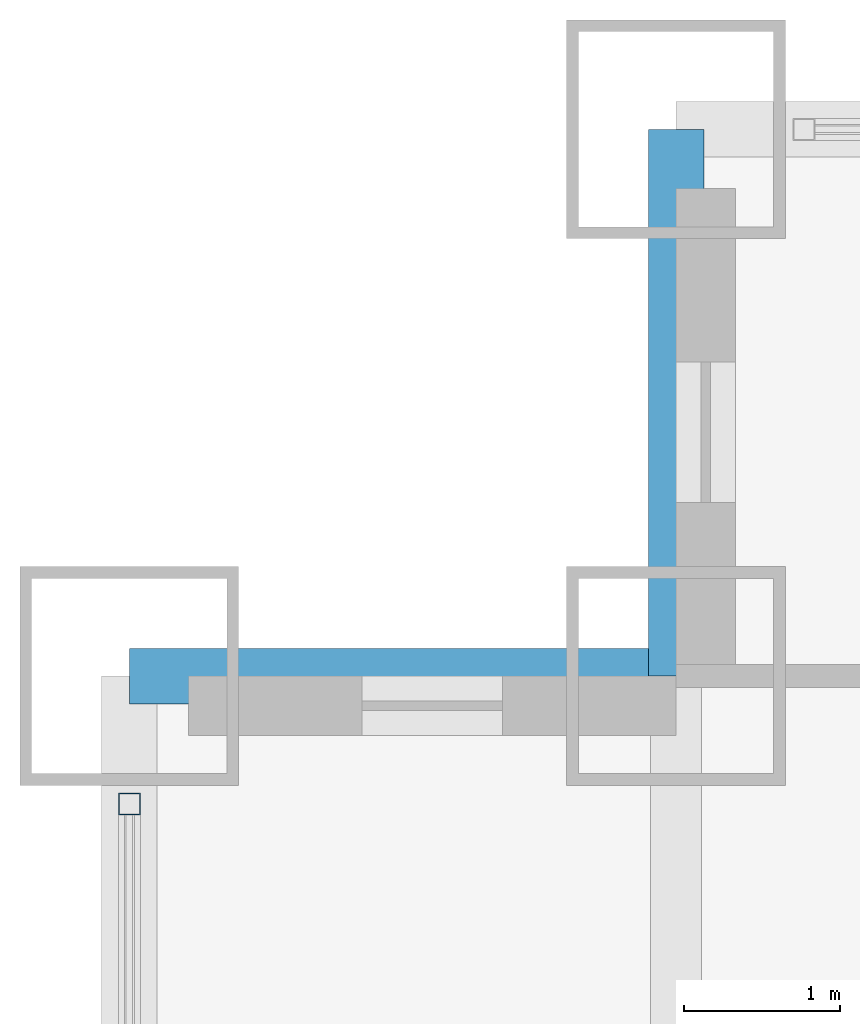
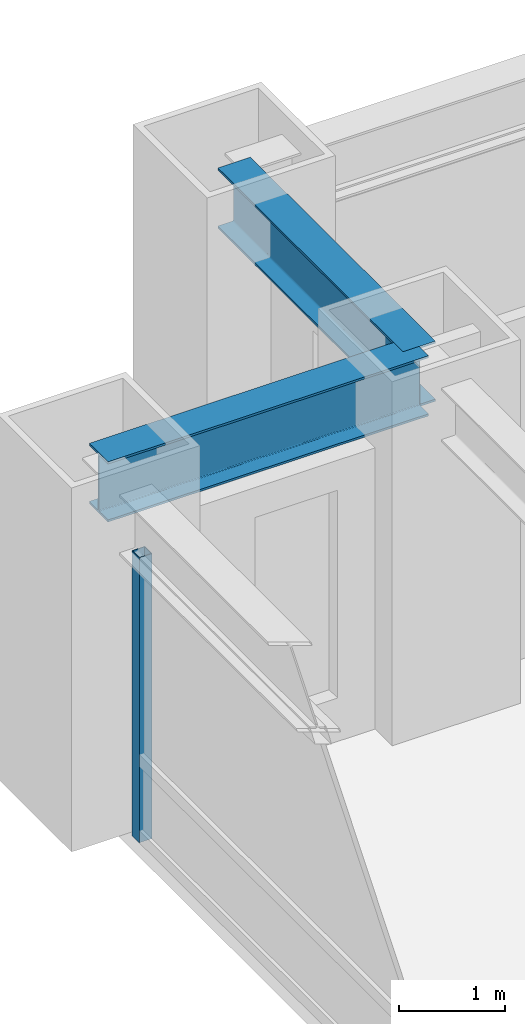
# One storey, part 14 of 27: 2 beams, 1 member, 1 element without a shape of its own.
"""IFC4 building model written with IfcOpenShell, lengths in metres."""

from ifc_helpers import new_model, si_unit, direction, frame, origin, origin_2d, place, context, subcontext, project, spatial, hollow_rectangle, i_section, extrude, source, transform, mapped, material, material_profile, profile_set, type_object, element, aggregate, save


model = new_model("IFC4")

# Units and contexts
model_context = context("Model", 3, precision=1e-05, world=origin(), true_north=direction((0.0, 1.0)))
body_context = subcontext(model_context, "Body", "Model", "MODEL_VIEW")
ifc_project = project(units=[si_unit("LENGTHUNIT", "METRE"), si_unit("AREAUNIT", "SQUARE_METRE"), si_unit("VOLUMEUNIT", "CUBIC_METRE"), si_unit("PLANEANGLEUNIT", "RADIAN"), si_unit("MASSUNIT", "GRAM", prefix="KILO")], contexts=[model_context])

# Site, building, storey
site_placement = place(None, origin())
site = spatial("IfcSite", under=ifc_project, at=site_placement, CompositionType="ELEMENT")
building_placement = place(site_placement, origin())
building = spatial("IfcBuilding", under=site, at=building_placement, Name="Khorayat Bourse Tower", CompositionType="ELEMENT")
storey_placement = place(building_placement, frame((0.0, 0.0, 49.39990234375)))
storey = spatial("IfcBuildingStorey", under=building, at=storey_placement, Name="L10", CompositionType="ELEMENT", Elevation=49.39990234375)

# Beams
ifc_material_1 = material(Name="Steel ASTM A992 Grade 50", Category="steel")
ifc_material_profile_1 = material_profile(ifc_material_1, i_section(OverallWidth=0.35498046875, OverallDepth=0.695068359375, WebThickness=0.015380859375, FlangeThickness=0.02490234375, FilletRadius=0.01806640625, at=origin_2d()), Name="W690X217")
ifc_profile_set_1 = profile_set([ifc_material_profile_1], Name="Steel ASTM A992 Grade 50")
beam_type = type_object("IfcBeamType", Name="BM-SPAN-690", PredefinedType="SPANDREL", material=ifc_profile_set_1)
shared_shape_1 = source(origin(), body_context, "Body", "SweptSolid", [
    extrude(i_section(OverallWidth=0.35498046875, OverallDepth=0.695068359375, WebThickness=0.015380859375, FlangeThickness=0.02490234375, FilletRadius=0.01806640625, at=origin_2d()), origin(), (0.0, 0.0, 1.0), 3.5),
])
for number, where, z_axis, x_axis, name in (
    (1, (-28.5, 28.5, 3.592529296875), (0.0, 1.0, 0.0), (-1.0, 0.0, 0.0), "L10 BM-SPAN-690 BM-L10-SPN-052"),
    (2, (-32.0, 28.5, 3.592529296875), (1.0, 0.0, 0.0), (0.0, 1.0, 0.0), "L10 BM-SPAN-690 BM-L10-SPN-053"),
):
    element("IfcBeam", number, at=place(storey_placement, frame(where, z_axis=z_axis, x_axis=x_axis)), inside=storey, type_object=beam_type, Name=name, PredefinedType="SPANDREL", context=body_context, shape_type="MappedRepresentation", body=[
        mapped(shared_shape_1, transform((0.0, 0.0, 0.0), scale=1.0)),
    ])

# Curtain wall, member
ifc_material_2 = material(Name="Aluminium EN AW-6063 T6", Category="aluminium")
curtain_wall_type = type_object("IfcCurtainWallType", Name="CW-SYS-02", PredefinedType="NOTDEFINED", material=ifc_material_2)
curtain_wall_placement = place(storey_placement, origin())
curtain_wall = element("IfcCurtainWall", 3, at=curtain_wall_placement, inside=storey, type_object=curtain_wall_type, Name="L10 Curtain Wall CW-L10-W1", PredefinedType="NOTDEFINED")
ifc_material_profile_2 = material_profile(ifc_material_2, hollow_rectangle(XDim=0.139892578125, YDim=0.139892578125, WallThickness=0.006103515625, at=origin_2d()), Name="ALU 140x140x6")
ifc_profile_set_2 = profile_set([ifc_material_profile_2], Name="Aluminium EN AW-6063 T6")
member_type = type_object("IfcMemberType", Name="CWM-VERT-140", PredefinedType="MULLION", material=ifc_profile_set_2)
shared_shape_2 = source(origin(), body_context, "Body", "SweptSolid", [
    extrude(hollow_rectangle(XDim=0.139892578125, YDim=0.139892578125, WallThickness=0.006103515625, at=origin_2d()), origin(), (0.0, 0.0, 1.0), 3.2900390625),
])
member_placement = place(storey_placement, frame((-32.0, 27.679931640625, 0.0), z_axis=(0.0, 0.0, 1.0), x_axis=(-1.0, 0.0, 0.0)))
member = element("IfcMember", 4, at=member_placement, type_object=member_type, Name="CW-L10-W1 Vertical Mullion 4", PredefinedType="MULLION", context=body_context, shape_type="MappedRepresentation", body=[
    mapped(shared_shape_2, transform((0.0, 0.0, 0.0), scale=1.0)),
])
aggregate(curtain_wall, [member])

save(model, "model.ifc")
